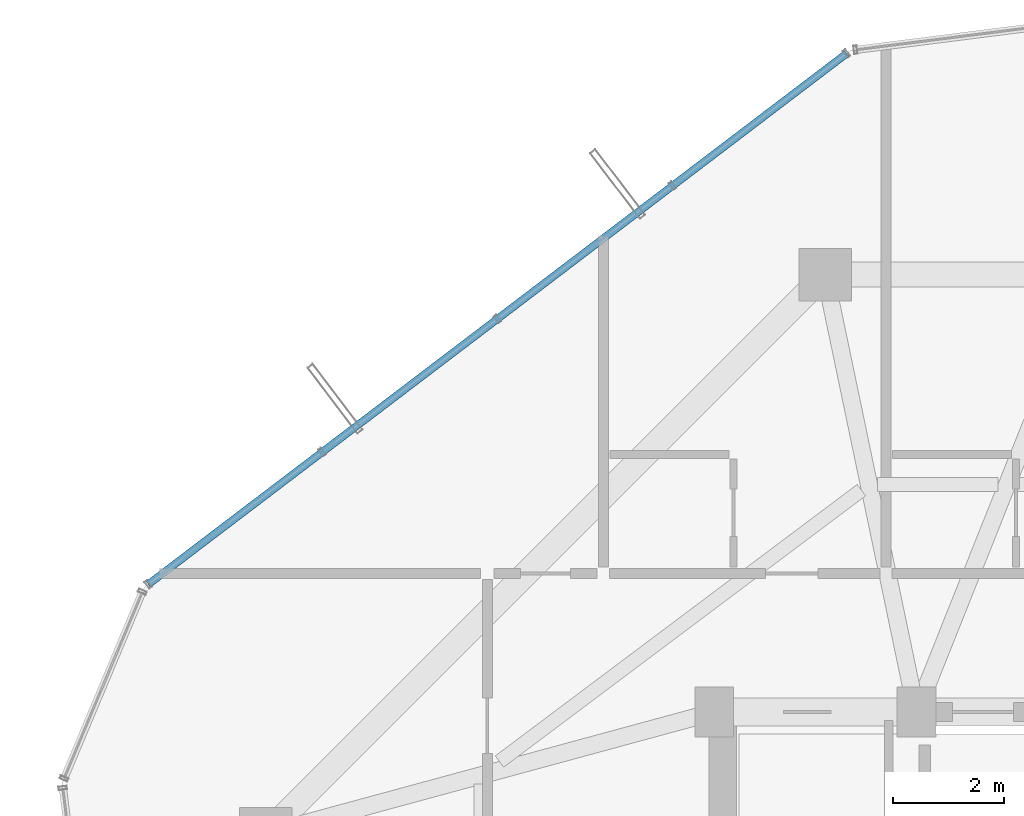
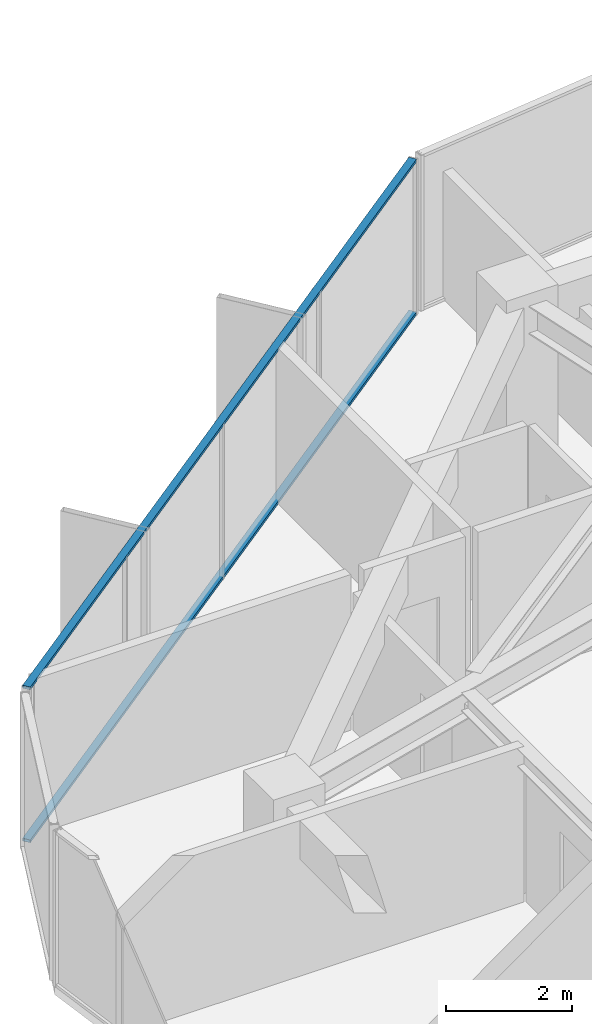
# One storey, part 22 of 32: 2 members, 1 element without a shape of its own.
"""IFC4 building model written with IfcOpenShell, lengths in metres."""

import ifcopenshell
import ifcopenshell.guid

model = None  # the IFC model being written
_history = None  # IfcOwnerHistory: only IFC2X3 demands one
_inside = {}  # id of a spatial element -> (the spatial element, [elements in it])
_under = {}  # id of a project, library or spatial element -> (it, [spatial elements below it])
_declared = {}  # id of a project -> (the project, [libraries it declares])
_typed = {}  # id of a type object -> (the type object, [elements of that type])
_made_of = {}  # id of a material, layer set ... -> (it, [elements and type objects made of it])


def new_model(schema):
    """Start an empty IFC model of exactly this schema.

    Asked for "IFC4X3", IfcOpenShell would pick the latest addendum, in which some entities
    have other attributes; the version numbers below select the first issue.
    IFC2X3 requires an IfcOwnerHistory on every rooted entity: one is made here for all.
    """
    global model, _history
    if schema == "IFC4X3":
        model = ifcopenshell.file(schema_version=(4, 3, 0, 0))
    else:
        model = ifcopenshell.file(schema=schema)
    _inside.clear()
    _under.clear()
    _declared.clear()
    _typed.clear()
    _made_of.clear()
    _history = None
    if model.schema == "IFC2X3":
        org = make("IfcOrganization", Name="unknown")
        user = make(
            "IfcPersonAndOrganization",
            ThePerson=make("IfcPerson", FamilyName="unknown"),
            TheOrganization=org,
        )
        app = make(
            "IfcApplication",
            ApplicationDeveloper=org,
            Version="unknown",
            ApplicationFullName="unknown",
            ApplicationIdentifier="unknown",
        )
        _history = make(
            "IfcOwnerHistory",
            OwningUser=user,
            OwningApplication=app,
            ChangeAction="ADDED",
            CreationDate=0,
        )
    return model


def make(cls, **values):
    """One entity of the class cls with the attributes given. An attribute that is None is left unset."""
    return model.create_entity(
        cls, **{name: value for name, value in values.items() if value is not None}
    )


def rooted(cls, **values):
    """An entity with a GlobalId (a new one), such as an element, a storey or a relation."""
    return make(cls, GlobalId=ifcopenshell.guid.new(), OwnerHistory=_history, **values)


def si_unit(unit_type, name, prefix=None):
    """IfcSIUnit, for example si_unit("LENGTHUNIT", "METRE", prefix="MILLI")."""
    return make("IfcSIUnit", UnitType=unit_type, Prefix=prefix, Name=name)


def assignment(units):
    """IfcUnitAssignment: the units of a project."""
    return None if units is None else make("IfcUnitAssignment", Units=units)


def point(xyz):
    """IfcCartesianPoint."""
    return None if xyz is None else make("IfcCartesianPoint", Coordinates=xyz)


def direction(xyz):
    """IfcDirection."""
    return None if xyz is None else make("IfcDirection", DirectionRatios=xyz)


def frame(location, z_axis=None, x_axis=None):
    """IfcAxis2Placement3D, a coordinate frame: its origin and axes. An axis left out is left unset."""
    return make(
        "IfcAxis2Placement3D",
        Location=point(location),
        Axis=direction(z_axis),
        RefDirection=direction(x_axis),
    )


def frame_2d(location, x_axis=None):
    """IfcAxis2Placement2D, a coordinate frame in the plane: its origin and x axis."""
    return make(
        "IfcAxis2Placement2D", Location=point(location), RefDirection=direction(x_axis)
    )


def origin():
    """The frame at (0, 0, 0) with its axes left unset."""
    return frame((0.0, 0.0, 0.0))


def origin_2d():
    """The frame at (0, 0) in the plane with its x axis left unset."""
    return frame_2d((0.0, 0.0))


def place(relative_to, where):
    """IfcLocalPlacement: puts the frame where relative to a parent placement (None: the world)."""
    return make(
        "IfcLocalPlacement", PlacementRelTo=relative_to, RelativePlacement=where
    )


def context(
    kind, dimensions, precision=None, world=None, true_north=None, identifier=None
):
    """IfcGeometricRepresentationContext, for example the 3D "Model" context."""
    return make(
        "IfcGeometricRepresentationContext",
        ContextIdentifier=identifier,
        ContextType=kind,
        CoordinateSpaceDimension=dimensions,
        Precision=precision,
        WorldCoordinateSystem=world,
        TrueNorth=true_north,
    )


def subcontext(parent, identifier, kind, view, scale=None):
    """IfcGeometricRepresentationSubContext, for example "Body" below "Model"."""
    return make(
        "IfcGeometricRepresentationSubContext",
        ContextIdentifier=identifier,
        ContextType=kind,
        ParentContext=parent,
        TargetScale=scale,
        TargetView=view,
    )


def project(units=None, contexts=None):
    """IfcProject with its units and contexts."""
    return rooted(
        "IfcProject",
        Name="project",
        RepresentationContexts=contexts,
        UnitsInContext=assignment(units),
    )


def spatial(cls, under=None, at=None, **own):
    """A site, building, storey or space (cls), placed at a placement, below another one or the project."""
    s = rooted(cls, ObjectPlacement=at, **own)
    if under is not None:
        _under.setdefault(under.id(), (under, []))[1].append(s)
    return s


def profile(cls, at=None, kind="AREA", **sizes):
    """A parametric profile (cls). Its sizes go by their IFC names, for example OverallWidth=200.0."""
    return make(cls, ProfileType=kind, Position=at, **sizes)


def hollow_rectangle(**sizes):
    """IfcRectangleHollowProfileDef."""
    return profile("IfcRectangleHollowProfileDef", **sizes)


def extrude(swept, where, along, depth):
    """IfcExtrudedAreaSolid: the profile swept, set in the frame where, extruded along a direction by depth."""
    return make(
        "IfcExtrudedAreaSolid",
        SweptArea=swept,
        Position=where,
        ExtrudedDirection=direction(along),
        Depth=depth,
    )


def shape(context_of_items, identifier, shape_type, items):
    """IfcShapeRepresentation: the items that make up one representation, for example the "Body"."""
    return make(
        "IfcShapeRepresentation",
        ContextOfItems=context_of_items,
        RepresentationIdentifier=identifier,
        RepresentationType=shape_type,
        Items=items,
    )


def source(mapping_origin, context_of_items, identifier, shape_type, items):
    """IfcRepresentationMap: a shape defined once, which mapped items show again and again."""
    return make(
        "IfcRepresentationMap",
        MappingOrigin=mapping_origin,
        MappedRepresentation=shape(context_of_items, identifier, shape_type, items),
    )


def transform(
    local_origin,
    x_axis=None,
    y_axis=None,
    z_axis=None,
    scale=None,
    scale2=None,
    scale3=None,
    uniform=True,
):
    """IfcCartesianTransformationOperator3D, or its non-uniform kind. x_axis, y_axis, z_axis: its Axis1, 2, 3."""
    if uniform:
        return make(
            "IfcCartesianTransformationOperator3D",
            Axis1=direction(x_axis),
            Axis2=direction(y_axis),
            LocalOrigin=point(local_origin),
            Scale=scale,
            Axis3=direction(z_axis),
        )
    return make(
        "IfcCartesianTransformationOperator3DnonUniform",
        Axis1=direction(x_axis),
        Axis2=direction(y_axis),
        LocalOrigin=point(local_origin),
        Scale=scale,
        Axis3=direction(z_axis),
        Scale2=scale2,
        Scale3=scale3,
    )


def mapped(mapping_source, mapping_target):
    """IfcMappedItem: shows the shape of a source again, moved by a transform."""
    return make(
        "IfcMappedItem", MappingSource=mapping_source, MappingTarget=mapping_target
    )


def material(Name=None, Category=None):
    """IfcMaterial."""
    return make("IfcMaterial", Name=Name, Category=Category)


def layer(
    of_material, thickness, ventilated=None, Name=None, Category=None, Priority=None
):
    """IfcMaterialLayer: one layer of a wall or slab, of a material (None: an air gap)."""
    return make(
        "IfcMaterialLayer",
        Material=of_material,
        LayerThickness=thickness,
        IsVentilated=ventilated,
        Name=Name,
        Category=Category,
        Priority=Priority,
    )


def layer_set(layers, Name=None):
    """IfcMaterialLayerSet."""
    return make("IfcMaterialLayerSet", MaterialLayers=layers, LayerSetName=Name)


def material_profile(
    of_material, cross_section, Name=None, Category=None, Priority=None
):
    """IfcMaterialProfile: a cross section and its material."""
    return make(
        "IfcMaterialProfile",
        Name=Name,
        Material=of_material,
        Profile=cross_section,
        Priority=Priority,
        Category=Category,
    )


def profile_set(profiles, Name=None, composite=None):
    """IfcMaterialProfileSet."""
    return make(
        "IfcMaterialProfileSet",
        Name=Name,
        MaterialProfiles=profiles,
        CompositeProfile=composite,
    )


def made_of(thing, what):
    """Note that an element or type object is made of a material, layer set ...; save() writes the relation."""
    if what is not None:
        _made_of.setdefault(what.id(), (what, []))[1].append(thing)
    return thing


def type_object(cls, material=None, **own):
    """A type object (cls), such as IfcWallType, which elements share."""
    return made_of(rooted(cls, **own), material)


def element(
    cls,
    number,
    at=None,
    inside=None,
    cuts=None,
    type_object=None,
    material=None,
    context=None,
    identifier="Body",
    shape_type=None,
    held_by="IfcProductDefinitionShape",
    body=None,
    shapes=None,
    **own,
):
    """One element of the class cls, such as IfcWall. Its Tag is "e" and its number.

    at: its placement. inside: the storey or other place that contains it. cuts: it is an
    opening in that element (IfcRelVoidsElement). A single representation is given by context,
    identifier, shape_type and body (its items); several are given by shapes. held_by: the class
    of the entity that holds the representations. save() writes the other relations.
    """
    e = rooted(cls, Tag="e%d" % number, ObjectPlacement=at, **own)
    if body is not None:
        shapes = [shape(context, identifier, shape_type, body)]
    if shapes is not None:
        e.Representation = make(held_by, Representations=shapes)
    if inside is not None:
        _inside.setdefault(inside.id(), (inside, []))[1].append(e)
    if cuts is not None:
        rooted(
            "IfcRelVoidsElement", RelatingBuildingElement=cuts, RelatedOpeningElement=e
        )
    if type_object is not None:
        _typed.setdefault(type_object.id(), (type_object, []))[1].append(e)
    return made_of(e, material)


def aggregate(whole, parts):
    """IfcRelAggregates: a whole, such as a stair, and the parts it consists of."""
    return rooted("IfcRelAggregates", RelatingObject=whole, RelatedObjects=parts)


def save(model, path):
    """Write the relations noted so far, then the file.

    IfcRelAggregates (storeys below a building ...), IfcRelContainedInSpatialStructure (elements
    in a storey), IfcRelDefinesByType, IfcRelAssociatesMaterial and IfcRelDeclares: one each for
    every whole, place, type object, material and project.
    """
    for whole, parts in _under.values():
        aggregate(whole, parts)
    for where, things in _inside.values():
        rooted(
            "IfcRelContainedInSpatialStructure",
            RelatedElements=things,
            RelatingStructure=where,
        )
    for kind, things in _typed.values():
        rooted("IfcRelDefinesByType", RelatedObjects=things, RelatingType=kind)
    for what, things in _made_of.values():
        rooted("IfcRelAssociatesMaterial", RelatedObjects=things, RelatingMaterial=what)
    for by, libraries in _declared.values():
        rooted("IfcRelDeclares", RelatingContext=by, RelatedDefinitions=libraries)
    model.write(path)


model = new_model("IFC4")

# Units and contexts
model_context = context("Model", 3, precision=1e-05, world=origin(), true_north=direction((0.0, 1.0)))
body_context = subcontext(model_context, "Body", "Model", "MODEL_VIEW")
ifc_project = project(units=[si_unit("LENGTHUNIT", "METRE"), si_unit("AREAUNIT", "SQUARE_METRE"), si_unit("VOLUMEUNIT", "CUBIC_METRE"), si_unit("PLANEANGLEUNIT", "RADIAN"), si_unit("MASSUNIT", "GRAM", prefix="KILO")], contexts=[model_context])

# Site, building, storey
site_placement = place(None, origin())
site = spatial("IfcSite", under=ifc_project, at=site_placement, CompositionType="ELEMENT")
building_placement = place(site_placement, origin())
building = spatial("IfcBuilding", under=site, at=building_placement, Name="Veraguas Prism Commons", CompositionType="ELEMENT")
storey_placement = place(building_placement, frame((0.0, 0.0, 182.10009765625)))
storey = spatial("IfcBuildingStorey", under=building, at=storey_placement, Name="L51", CompositionType="ELEMENT", Elevation=182.10009765625)

# Curtain wall, members
ifc_material = material(Name="Anodised aluminium EN AW-6063 T6", Category="aluminium")
ifc_layer = layer(ifc_material, 0.14990234375, Name="Unitised Flush Curtain Wall Zone 3", Category="aluminium")
ifc_layer_set = layer_set([ifc_layer], Name="Anodised aluminium EN AW-6063 T6")
curtain_wall_type = type_object("IfcCurtainWallType", Name="Unitised Flush Curtain Wall Zone 3", PredefinedType="NOTDEFINED", material=ifc_layer_set)
curtain_wall_placement = place(storey_placement, origin())
curtain_wall = element("IfcCurtainWall", 1, at=curtain_wall_placement, inside=storey, type_object=curtain_wall_type, Name="Tower Facade Curtain Wall L51-F2", PredefinedType="NOTDEFINED")
ifc_material_profile = material_profile(ifc_material, hollow_rectangle(XDim=0.054931640625, YDim=0.135009765625, WallThickness=0.0029296875, at=origin_2d()), Name="AL55X135X3")
ifc_profile_set = profile_set([ifc_material_profile], Name="Anodised aluminium EN AW-6063 T6")
member_type = type_object("IfcMemberType", Name="Curtain Wall Transom Standard AL 55x135x3", PredefinedType="USERDEFINED", material=ifc_profile_set)
shared_shape = source(origin(), body_context, "Body", "SweptSolid", [
    extrude(hollow_rectangle(XDim=0.054931640625, YDim=0.135009765625, WallThickness=0.0029296875, at=origin_2d()), origin(), (0.0, 0.0, 1.0), 15.84228515625),
])
member_1_placement = place(storey_placement, frame((19.588623046875, 42.892822265625, 0.02734375), z_axis=(-0.79610161012, -0.605162975044, 0.0), x_axis=(0.0, 0.0, 1.0)))
member_1 = element("IfcMember", 2, at=member_1_placement, type_object=member_type, Name="CW-Z3 Transom 1", ObjectType="TRANSOM", PredefinedType="USERDEFINED", context=body_context, shape_type="MappedRepresentation", body=[
    mapped(shared_shape, transform((0.0, 0.0, 0.0), scale=1.0)),
])
member_2_placement = place(storey_placement, frame((19.588623046875, 42.892822265625, 2.9873046875), z_axis=(-0.79610161012, -0.605162975044, 0.0), x_axis=(0.0, 0.0, 1.0)))
member_2 = element("IfcMember", 3, at=member_2_placement, type_object=member_type, Name="CW-Z3 Transom 2", ObjectType="TRANSOM", PredefinedType="USERDEFINED", context=body_context, shape_type="MappedRepresentation", body=[
    mapped(shared_shape, transform((0.0, 0.0, 0.0), scale=1.0)),
])
aggregate(curtain_wall, [member_1, member_2])

save(model, "model.ifc")
